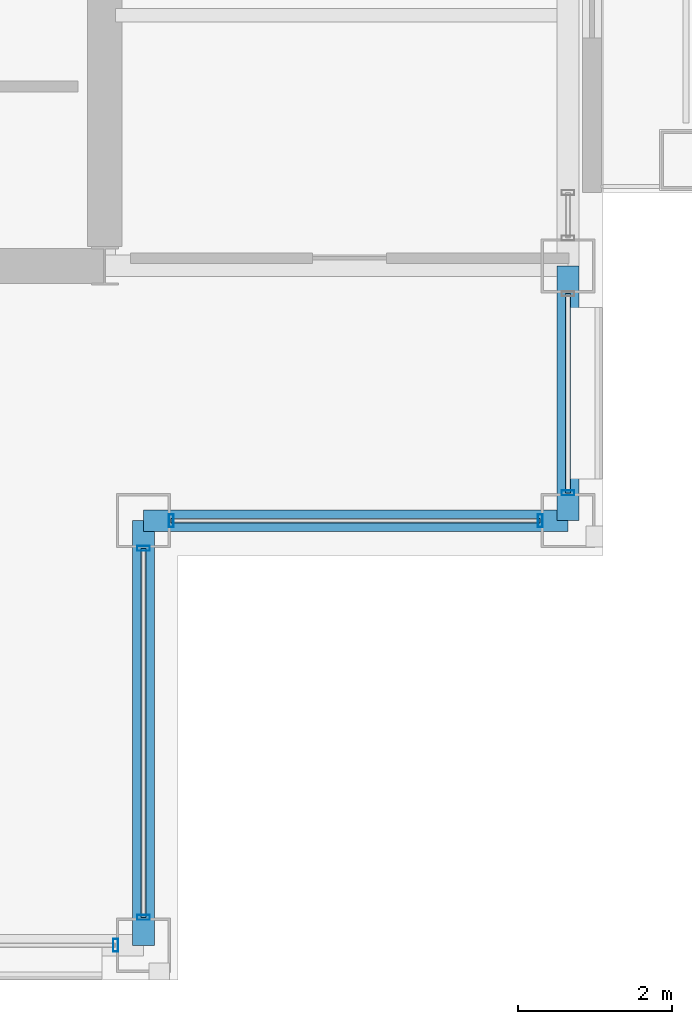
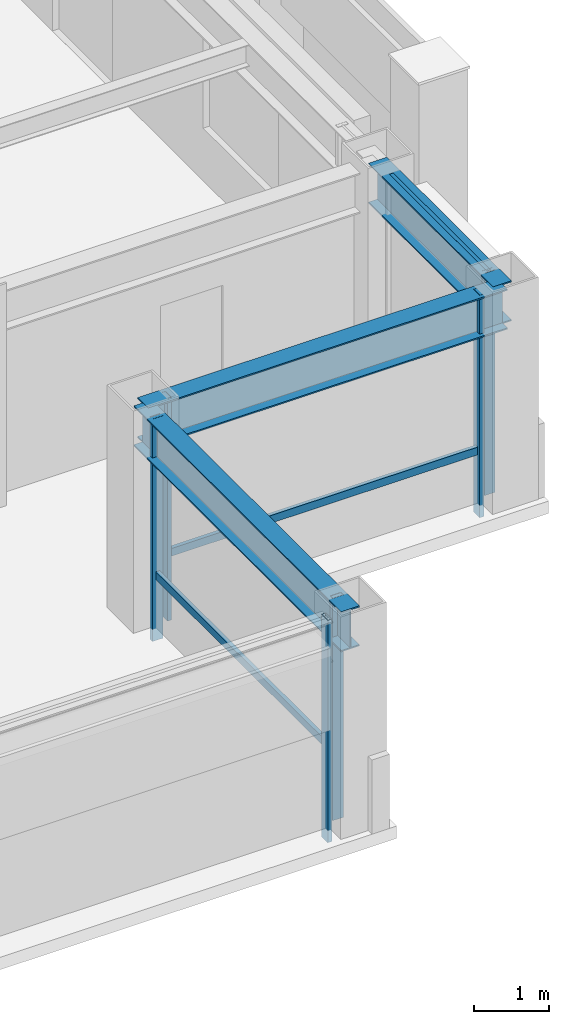
# One storey, part 12 of 28: 9 members, 3 beams, 4 elements without a shape of their own.
"""IFC4 building model written with IfcOpenShell, lengths in metres."""

from ifc_helpers import new_model, si_unit, direction, frame, origin, origin_2d, place, context, subcontext, project, spatial, hollow_rectangle, i_section, extrude, material, layer, layer_set, material_profile, profile_set, type_object, element, aggregate, save


model = new_model("IFC4")

# Units and contexts
model_context = context("Model", 3, precision=1e-05, world=origin(), true_north=direction((0.0, 1.0)))
body_context = subcontext(model_context, "Body", "Model", "MODEL_VIEW")
ifc_project = project(units=[si_unit("LENGTHUNIT", "METRE"), si_unit("AREAUNIT", "SQUARE_METRE"), si_unit("VOLUMEUNIT", "CUBIC_METRE"), si_unit("PLANEANGLEUNIT", "RADIAN"), si_unit("MASSUNIT", "GRAM", prefix="KILO")], contexts=[model_context])

# Site, building, storey
site_placement = place(None, origin())
site = spatial("IfcSite", under=ifc_project, at=site_placement, CompositionType="ELEMENT")
building_placement = place(site_placement, origin())
building = spatial("IfcBuilding", under=site, at=building_placement, Name="Brelmoor Portico Tower", CompositionType="ELEMENT")
storey_placement = place(building_placement, frame((0.0, 0.0, 191.10009765625)))
storey = spatial("IfcBuildingStorey", under=building, at=storey_placement, Name="L50", CompositionType="ELEMENT", Elevation=191.10009765625)

# Beams
ifc_material_1 = material(Name="Steel Q355B", Category="steel")
ifc_material_profile_1 = material_profile(ifc_material_1, i_section(OverallWidth=0.280029296875, OverallDepth=0.64990234375, WebThickness=0.012939453125, FlangeThickness=0.02197265625, at=origin_2d()), Name="HN 650x280x13x22")
ifc_profile_set_1 = profile_set([ifc_material_profile_1], Name="Steel Q355B")
beam_type = type_object("IfcBeamType", Name="BM-SP-650", PredefinedType="SPANDREL", material=ifc_profile_set_1)
for number, where, z_axis, x_axis, name in (
    (1, (15.050048828125, -13.050048828125, 3.074951171875), (1.0, 0.0, 0.0), (0.0, 1.0, 0.0), "L50 Perimeter Spandrel Beam SP-05"),
    (2, (15.050048828125, -18.550048828125, 3.074951171875), (0.0, 1.0, 0.0), (-1.0, 0.0, 0.0), "L50 Perimeter Spandrel Beam SP-16"),
):
    element("IfcBeam", number, at=place(storey_placement, frame(where, z_axis=z_axis, x_axis=x_axis)), inside=storey, type_object=beam_type, Name=name, PredefinedType="SPANDREL", context=body_context, shape_type="SweptSolid", body=[
        extrude(i_section(OverallWidth=0.280029296875, OverallDepth=0.64990234375, WebThickness=0.012939453125, FlangeThickness=0.02197265625, at=origin_2d()), origin(), (0.0, 0.0, 1.0), 5.5),
    ])
beam_placement = place(storey_placement, frame((20.550048828125, -13.050048828125, 3.074951171875), z_axis=(0.0, 1.0, 0.0), x_axis=(-1.0, 0.0, 0.0)))
element("IfcBeam", 3, at=beam_placement, inside=storey, type_object=beam_type, Name="L50 Perimeter Spandrel Beam SP-18", PredefinedType="SPANDREL", context=body_context, shape_type="SweptSolid", body=[
    extrude(i_section(OverallWidth=0.280029296875, OverallDepth=0.64990234375, WebThickness=0.012939453125, FlangeThickness=0.02197265625, at=origin_2d()), origin(), (0.0, 0.0, 1.0), 3.300048828125),
])

# Curtain wall, member
ifc_material_2 = material(Name="Anodised Aluminium Alloy 6063-T6", Category="aluminium")
ifc_layer_1 = layer(ifc_material_2, 0.179931640625)
ifc_layer_set_1 = layer_set([ifc_layer_1], Name="Anodised Aluminium Alloy 6063-T6")
curtain_wall_type_1 = type_object("IfcCurtainWallType", Name="CW-TOWER-Z3-XB", PredefinedType="NOTDEFINED", material=ifc_layer_set_1)
curtain_wall_1_placement = place(storey_placement, origin())
curtain_wall_1 = element("IfcCurtainWall", 4, at=curtain_wall_1_placement, inside=storey, type_object=curtain_wall_type_1, Name="L50 Curtain Wall CW-L50-01-3", PredefinedType="NOTDEFINED")
ifc_material_profile_2 = material_profile(ifc_material_2, hollow_rectangle(XDim=0.06494140625, YDim=0.1650390625, WallThickness=0.00390625, at=origin_2d()), Name="ALU MULLION 65x165")
ifc_profile_set_2 = profile_set([ifc_material_profile_2], Name="Anodised Aluminium Alloy 6063-T6")
member_type_1 = type_object("IfcMemberType", Name="MB-CW-MULL-165", PredefinedType="MULLION", material=ifc_profile_set_2)
member_1_placement = place(storey_placement, frame((14.68994140625, -18.550048828125, -0.2001953125), z_axis=(0.0, 0.0, 1.0), x_axis=(1.0, 0.0, 0.0)))
member_1 = element("IfcMember", 5, at=member_1_placement, type_object=member_type_1, Name="CW-L50-01-3 Mullion 01", PredefinedType="MULLION", context=body_context, shape_type="SweptSolid", body=[
    extrude(hollow_rectangle(XDim=0.06494140625, YDim=0.1650390625, WallThickness=0.00390625, at=origin_2d()), origin(), (0.0, 0.0, 1.0), 3.60009765625),
])
aggregate(curtain_wall_1, [member_1])

curtain_wall_2_placement = place(storey_placement, origin())
curtain_wall_2 = element("IfcCurtainWall", 6, at=curtain_wall_2_placement, inside=storey, type_object=curtain_wall_type_1, Name="L50 Curtain Wall CW-L50-4L-1", PredefinedType="NOTDEFINED")
member_2_placement = place(storey_placement, frame((20.550048828125, -12.68994140625, -0.2001953125), z_axis=(0.0, 0.0, 1.0), x_axis=(0.0, 1.0, 0.0)))
member_2 = element("IfcMember", 7, at=member_2_placement, type_object=member_type_1, Name="CW-L50-4L-1 Mullion 00", PredefinedType="MULLION", context=body_context, shape_type="SweptSolid", body=[
    extrude(hollow_rectangle(XDim=0.06494140625, YDim=0.1650390625, WallThickness=0.00390625, at=origin_2d()), origin(), (0.0, 0.0, 1.0), 3.60009765625),
])

# Curtain wall, members
ifc_layer_2 = layer(ifc_material_2, 0.179931640625)
ifc_layer_set_2 = layer_set([ifc_layer_2], Name="Anodised Aluminium Alloy 6063-T6")
curtain_wall_type_2 = type_object("IfcCurtainWallType", Name="CW-NOTCH-CHAMFER", PredefinedType="NOTDEFINED", material=ifc_layer_set_2)
curtain_wall_3_placement = place(storey_placement, origin())
curtain_wall_3 = element("IfcCurtainWall", 8, at=curtain_wall_3_placement, inside=storey, type_object=curtain_wall_type_2, Name="L50 Curtain Wall CWN-L50-SEH", PredefinedType="NOTDEFINED")
member_3_placement = place(storey_placement, frame((15.409912109375, -13.050048828125, -0.2001953125), z_axis=(0.0, 0.0, 1.0), x_axis=(1.0, 0.0, 0.0)))
member_3 = element("IfcMember", 9, at=member_3_placement, type_object=member_type_1, Name="CWN-L50-SEH Mullion 00", PredefinedType="MULLION", context=body_context, shape_type="SweptSolid", body=[
    extrude(hollow_rectangle(XDim=0.06494140625, YDim=0.1650390625, WallThickness=0.00390625, at=origin_2d()), origin(), (0.0, 0.0, 1.0), 3.60009765625),
])
member_4_placement = place(storey_placement, frame((20.18994140625, -13.050048828125, -0.2001953125), z_axis=(0.0, 0.0, 1.0), x_axis=(1.0, 0.0, 0.0)))
member_4 = element("IfcMember", 10, at=member_4_placement, type_object=member_type_1, Name="CWN-L50-SEH Mullion 01", PredefinedType="MULLION", context=body_context, shape_type="SweptSolid", body=[
    extrude(hollow_rectangle(XDim=0.06494140625, YDim=0.1650390625, WallThickness=0.00390625, at=origin_2d()), origin(), (0.0, 0.0, 1.0), 3.60009765625),
])

curtain_wall_4_placement = place(storey_placement, origin())
curtain_wall_4 = element("IfcCurtainWall", 11, at=curtain_wall_4_placement, inside=storey, type_object=curtain_wall_type_2, Name="L50 Curtain Wall CWN-L50-SEV", PredefinedType="NOTDEFINED")
member_5_placement = place(storey_placement, frame((15.050048828125, -18.18994140625, -0.2001953125), z_axis=(0.0, 0.0, 1.0), x_axis=(0.0, 1.0, 0.0)))
member_5 = element("IfcMember", 12, at=member_5_placement, type_object=member_type_1, Name="CWN-L50-SEV Mullion 00", PredefinedType="MULLION", context=body_context, shape_type="SweptSolid", body=[
    extrude(hollow_rectangle(XDim=0.06494140625, YDim=0.1650390625, WallThickness=0.00390625, at=origin_2d()), origin(), (0.0, 0.0, 1.0), 3.60009765625),
])
member_6_placement = place(storey_placement, frame((15.050048828125, -13.409912109375, -0.2001953125), z_axis=(0.0, 0.0, 1.0), x_axis=(0.0, 1.0, 0.0)))
member_6 = element("IfcMember", 13, at=member_6_placement, type_object=member_type_1, Name="CWN-L50-SEV Mullion 01", PredefinedType="MULLION", context=body_context, shape_type="SweptSolid", body=[
    extrude(hollow_rectangle(XDim=0.06494140625, YDim=0.1650390625, WallThickness=0.00390625, at=origin_2d()), origin(), (0.0, 0.0, 1.0), 3.60009765625),
])

# Member
ifc_material_profile_3 = material_profile(ifc_material_2, hollow_rectangle(XDim=0.06005859375, YDim=0.125, WallThickness=0.00341796875, at=origin_2d()), Name="ALU TRANSOM 60x125")
ifc_profile_set_3 = profile_set([ifc_material_profile_3], Name="Anodised Aluminium Alloy 6063-T6")
member_type_2 = type_object("IfcMemberType", Name="MB-CW-TRAN-125", PredefinedType="USERDEFINED", material=ifc_profile_set_3)
member_7_placement = place(storey_placement, frame((20.550048828125, -12.68994140625, 3.33740234375), z_axis=(0.0, 1.0, 0.0), x_axis=(-1.0, 0.0, 0.0)))
member_7 = element("IfcMember", 14, at=member_7_placement, type_object=member_type_2, Name="CW-L50-4L-1 Transom 1-00", ObjectType="TRANSOM", PredefinedType="USERDEFINED", context=body_context, shape_type="SweptSolid", body=[
    extrude(hollow_rectangle(XDim=0.06005859375, YDim=0.125, WallThickness=0.00341796875, at=origin_2d()), origin(), (0.0, 0.0, 1.0), 2.579833984375),
])

aggregate(curtain_wall_2, [member_2, member_7])

member_8_placement = place(storey_placement, frame((15.409912109375, -13.050048828125, 0.849853515625), z_axis=(1.0, 0.0, 0.0), x_axis=(0.0, 1.0, 0.0)))
member_8 = element("IfcMember", 15, at=member_8_placement, type_object=member_type_2, Name="CWN-L50-SEH Transom 1-00", ObjectType="TRANSOM", PredefinedType="USERDEFINED", context=body_context, shape_type="SweptSolid", body=[
    extrude(hollow_rectangle(XDim=0.06005859375, YDim=0.125, WallThickness=0.00341796875, at=origin_2d()), origin(), (0.0, 0.0, 1.0), 4.780029296875),
])

aggregate(curtain_wall_3, [member_3, member_4, member_8])

member_9_placement = place(storey_placement, frame((15.050048828125, -18.18994140625, 0.849853515625), z_axis=(0.0, 1.0, 0.0), x_axis=(-1.0, 0.0, 0.0)))
member_9 = element("IfcMember", 16, at=member_9_placement, type_object=member_type_2, Name="CWN-L50-SEV Transom 1-00", ObjectType="TRANSOM", PredefinedType="USERDEFINED", context=body_context, shape_type="SweptSolid", body=[
    extrude(hollow_rectangle(XDim=0.06005859375, YDim=0.125, WallThickness=0.00341796875, at=origin_2d()), origin(), (0.0, 0.0, 1.0), 4.780029296875),
])

aggregate(curtain_wall_4, [member_5, member_6, member_9])

save(model, "model.ifc")
